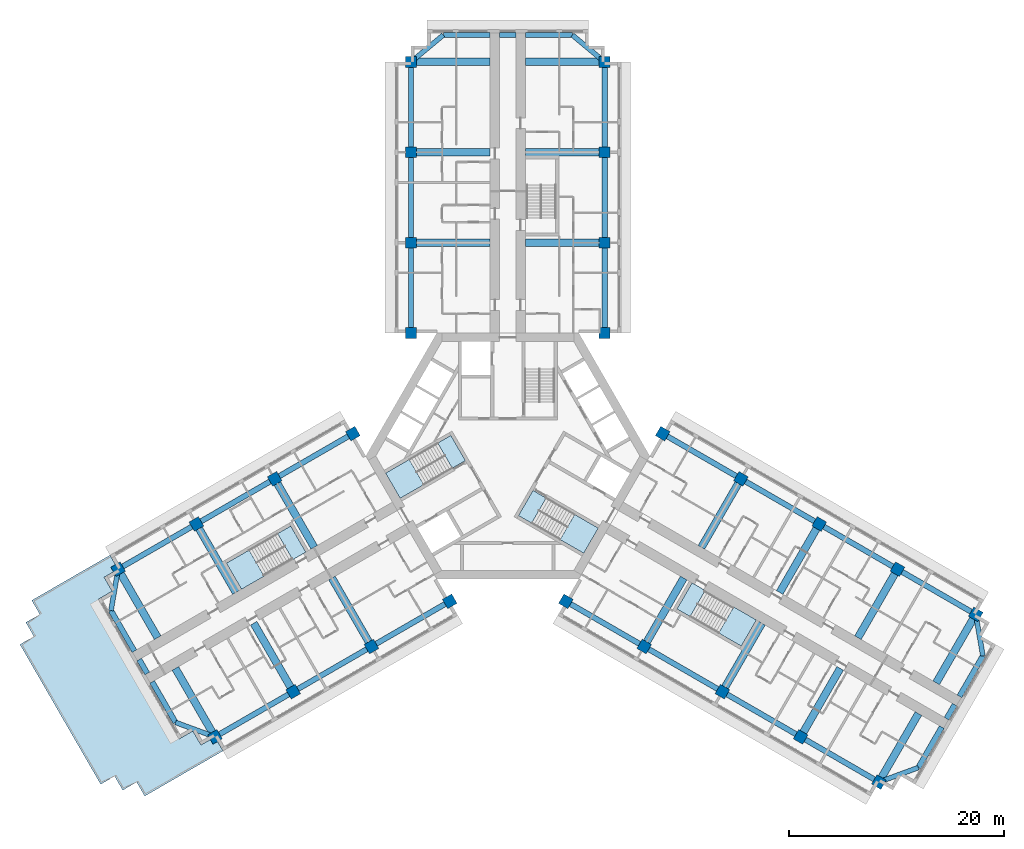
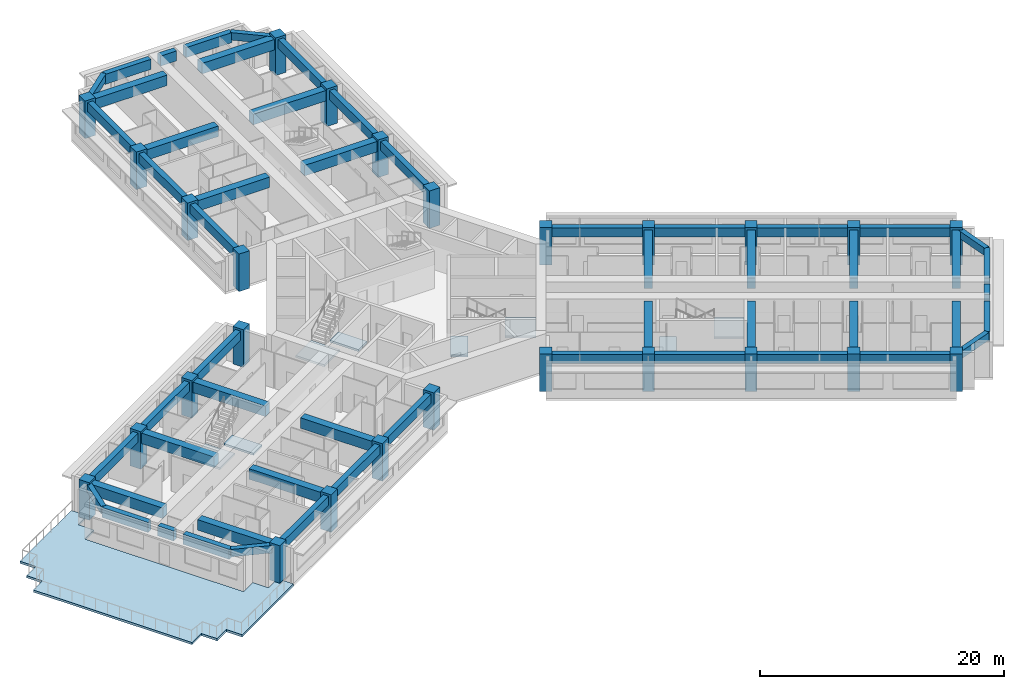
# One storey, part 1 of 15: 55 beams, 26 columns, 9 slabs, 4 elements without a shape of their own.
"""IFC4 building model written with IfcOpenShell, lengths in metres."""

from ifc_helpers import new_model, si_unit, direction, frame, origin, origin_2d, place, context, subcontext, project, spatial, polyline, rectangle, outline, extrude, material, layer, layer_set, material_profile, profile_set, type_object, element, aggregate, save


model = new_model("IFC4")

# Units and contexts
model_context = context("Model", 3, precision=1e-05, world=origin(), true_north=direction((0.0, 1.0)))
body_context = subcontext(model_context, "Body", "Model", "MODEL_VIEW")
ifc_project = project(units=[si_unit("LENGTHUNIT", "METRE"), si_unit("AREAUNIT", "SQUARE_METRE"), si_unit("VOLUMEUNIT", "CUBIC_METRE"), si_unit("PLANEANGLEUNIT", "RADIAN"), si_unit("MASSUNIT", "GRAM", prefix="KILO")], contexts=[model_context])

# Site, building, storey
site_placement = place(None, origin())
site = spatial("IfcSite", under=ifc_project, at=site_placement, CompositionType="ELEMENT")
building_placement = place(site_placement, origin())
building = spatial("IfcBuilding", under=site, at=building_placement, Name="Impinga Residences", CompositionType="ELEMENT")
storey_placement = place(building_placement, frame((0.0, 0.0, 132.25)))
storey = spatial("IfcBuildingStorey", under=building, at=storey_placement, Name="L32", CompositionType="ELEMENT", Elevation=132.25)

# Columns
ifc_material_1 = material(Name="Concrete C60/75", Category="concrete")
ifc_material_profile_1 = material_profile(ifc_material_1, rectangle(XDim=1.0, YDim=1.0, at=origin_2d()), Name="RC 1000x1000")
ifc_profile_set_1 = profile_set([ifc_material_profile_1], Name="Concrete C60/75")
column_type = type_object("IfcColumnType", Name="C3 1000x1000 column", PredefinedType="COLUMN", material=ifc_profile_set_1)
for number, where, z_axis, x_axis, name in (
    (1, (-9.0, 11.431640625, 0.0), (0.0, 0.0, 1.0), (1.0, 0.0, 0.0), "Column C3 N1/NA L32"),
    (2, (9.0, 11.431640625, 0.0), (0.0, 0.0, 1.0), (1.0, 0.0, 0.0), "Column C3 N1/NF L32"),
    (3, (-9.0, 19.83154296875, 0.0), (0.0, 0.0, 1.0), (1.0, 0.0, 0.0), "Column C3 N2/NA L32"),
    (4, (9.0, 19.83154296875, 0.0), (0.0, 0.0, 1.0), (1.0, 0.0, 0.0), "Column C3 N2/NF L32"),
    (5, (-9.0, 28.2314453125, 0.0), (0.0, 0.0, 1.0), (1.0, 0.0, 0.0), "Column C3 N3/NA L32"),
    (6, (9.0, 28.2314453125, 0.0), (0.0, 0.0, 1.0), (1.0, 0.0, 0.0), "Column C3 N3/NF L32"),
    (7, (-9.0, 36.631591796875, 0.0), (0.0, 0.0, 1.0), (1.0, 0.0, 0.0), "Column C3 N4/NA L32"),
    (8, (9.0, 36.631591796875, 0.0), (0.0, 0.0, 1.0), (1.0, 0.0, 0.0), "Column C3 N4/NF L32"),
    (9, (-5.39990234375, -13.510009765625, 0.0), (0.0, 0.0, 1.0), (-0.5, 0.866025403784, 0.0), "Column C3 W1/WA L32"),
    (10, (-14.39990234375, 2.078369140625, 0.0), (0.0, 0.0, 1.0), (-0.5, 0.866025403784, 0.0), "Column C3 W1/WF L32"),
    (11, (-12.674560546875, -17.7099609375, 0.0), (0.0, 0.0, 1.0), (-0.5, 0.866025403784, 0.0), "Column C3 W2/WA L32"),
    (12, (-21.674560546875, -2.12158203125, 0.0), (0.0, 0.0, 1.0), (-0.5, 0.866025403784, 0.0), "Column C3 W2/WF L32"),
    (13, (-19.94921875, -21.909912109375, 0.0), (0.0, 0.0, 1.0), (-0.5, 0.866025403784, 0.0), "Column C3 W3/WA L32"),
    (14, (-28.94921875, -6.321533203125, 0.0), (0.0, 0.0, 1.0), (-0.5, 0.866025403784, 0.0), "Column C3 W3/WF L32"),
    (15, (-27.223876953125, -26.110107421875, 0.0), (0.0, 0.0, 1.0), (-0.5, 0.866025403784, 0.0), "Column C3 W4/WA L32"),
    (16, (-36.223876953125, -10.521484375, 0.0), (0.0, 0.0, 1.0), (-0.5, 0.866025403784, 0.0), "Column C3 W4/WF L32"),
    (17, (14.39990234375, 2.078369140625, 0.0), (0.0, 0.0, 1.0), (-0.5, -0.866025403784, 0.0), "Column C3 E1/EA L32"),
    (18, (5.39990234375, -13.510009765625, 0.0), (0.0, 0.0, 1.0), (-0.5, -0.866025403784, 0.0), "Column C3 E1/EF L32"),
    (19, (21.674560546875, -2.12158203125, 0.0), (0.0, 0.0, 1.0), (-0.5, -0.866025403784, 0.0), "Column C3 E2/EA L32"),
    (20, (12.674560546875, -17.7099609375, 0.0), (0.0, 0.0, 1.0), (-0.5, -0.866025403784, 0.0), "Column C3 E2/EF L32"),
    (21, (28.94921875, -6.321533203125, 0.0), (0.0, 0.0, 1.0), (-0.5, -0.866025403784, 0.0), "Column C3 E3/EA L32"),
    (22, (19.94921875, -21.909912109375, 0.0), (0.0, 0.0, 1.0), (-0.5, -0.866025403784, 0.0), "Column C3 E3/EF L32"),
    (23, (36.223876953125, -10.521484375, 0.0), (0.0, 0.0, 1.0), (-0.5, -0.866025403784, 0.0), "Column C3 E4/EA L32"),
    (24, (27.223876953125, -26.110107421875, 0.0), (0.0, 0.0, 1.0), (-0.5, -0.866025403784, 0.0), "Column C3 E4/EF L32"),
    (25, (43.49853515625, -14.721435546875, 0.0), (0.0, 0.0, 1.0), (-0.5, -0.866025403784, 0.0), "Column C3 E5/EA L32"),
    (26, (34.49853515625, -30.31005859375, 0.0), (0.0, 0.0, 1.0), (-0.5, -0.866025403784, 0.0), "Column C3 E5/EF L32"),
):
    element("IfcColumn", number, at=place(storey_placement, frame(where, z_axis=z_axis, x_axis=x_axis)), inside=storey, type_object=column_type, Name=name, PredefinedType="COLUMN", context=body_context, shape_type="SweptSolid", body=[
        extrude(rectangle(XDim=1.0, YDim=1.0, at=origin_2d()), origin(), (0.0, 0.0, 1.0), 3.75),
    ])

# Beams
ifc_material_profile_2 = material_profile(ifc_material_1, rectangle(XDim=0.449951171875, YDim=0.75, at=origin_2d()), Name="RC 450x750")
ifc_profile_set_2 = profile_set([ifc_material_profile_2], Name="Concrete C60/75")
beam_type_1 = type_object("IfcBeamType", Name="CB1 450x750 wing end cantilever beam", PredefinedType="BEAM", material=ifc_profile_set_2)
for number, where, z_axis, x_axis, name in (
    (27, (-9.0, 36.631591796875, 3.155029296875), (0.768221279597, 0.640184399664, 0.0), (-0.640184399664, 0.768221279597, 0.0), "Beam CB1 NB N4-NX level L33"),
    (28, (9.0, 36.631591796875, 3.155029296875), (-0.768221279597, 0.640184399664, 0.0), (-0.640184399664, -0.768221279597, 0.0), "Beam CB1 NE N4-NX level L33"),
    (29, (-27.223876953125, -26.110107421875, 3.155029296875), (-0.938520178725, 0.345224382289, 0.0), (-0.345224382289, -0.938520178725, 0.0), "Beam CB1 WB W4-WX level L33"),
):
    element("IfcBeam", number, at=place(storey_placement, frame(where, z_axis=z_axis, x_axis=x_axis)), inside=storey, type_object=beam_type_1, Name=name, PredefinedType="BEAM", context=body_context, shape_type="SweptSolid", body=[
        extrude(rectangle(XDim=0.449951171875, YDim=0.75, at=origin_2d()), origin(), (0.0, 0.0, 1.0), 3.905029296875),
    ])
for number, where, z_axis, x_axis, name in (
    (30, (-36.223876953125, -10.521484375, 3.155029296875), (-0.170296298948, -0.985392901621, 0.0), (0.985392901621, -0.170296298948, 0.0), "Beam CB1 WE W4-WX level L33"),
    (31, (43.49853515625, -14.721435546875, 3.155029296875), (0.170296298948, -0.985392901621, 0.0), (0.985392901621, 0.170296298948, 0.0), "Beam CB1 EB E5-EX level L33"),
):
    element("IfcBeam", number, at=place(storey_placement, frame(where, z_axis=z_axis, x_axis=x_axis)), inside=storey, type_object=beam_type_1, Name=name, PredefinedType="BEAM", context=body_context, shape_type="SweptSolid", body=[
        extrude(rectangle(XDim=0.449951171875, YDim=0.75, at=origin_2d()), origin(), (0.0, 0.0, 1.0), 3.9052734375),
    ])
beam_1_placement = place(storey_placement, frame((34.49853515625, -30.31005859375, 3.155029296875), z_axis=(0.938520178725, 0.345224382289, 0.0), x_axis=(-0.345224382289, 0.938520178725, 0.0)))
element("IfcBeam", 32, at=beam_1_placement, inside=storey, type_object=beam_type_1, Name="Beam CB1 EE E5-EX level L33", PredefinedType="BEAM", context=body_context, shape_type="SweptSolid", body=[
    extrude(rectangle(XDim=0.449951171875, YDim=0.75, at=origin_2d()), origin(), (0.0, 0.0, 1.0), 3.905029296875),
])
ifc_material_profile_3 = material_profile(ifc_material_1, rectangle(XDim=0.699951171875, YDim=1.050048828125, at=origin_2d()), Name="RC 700x1050")
ifc_profile_set_3 = profile_set([ifc_material_profile_3], Name="Concrete C60/75")
beam_type_2 = type_object("IfcBeamType", Name="CG1 700x1050 cross girder on a wing bay line", PredefinedType="BEAM", material=ifc_profile_set_3)
for number, where, z_axis, x_axis, name in (
    (33, (-1.64990234375, 19.83154296875, 3.0048828125), (-1.0, 0.0, 0.0), (0.0, -1.0, 0.0), "Beam CG1 N2 NC/NA level L33"),
    (34, (-1.64990234375, 28.2314453125, 3.0048828125), (-1.0, 0.0, 0.0), (0.0, -1.0, 0.0), "Beam CG1 N3 NC/NA level L33"),
    (35, (-1.64990234375, 36.631591796875, 3.0048828125), (-1.0, 0.0, 0.0), (0.0, -1.0, 0.0), "Beam CG1 N4 NC/NA level L33"),
    (36, (1.64990234375, 19.83154296875, 3.0048828125), (1.0, 0.0, 0.0), (0.0, 1.0, 0.0), "Beam CG1 N2 NC/NF level L33"),
    (37, (1.64990234375, 28.2314453125, 3.0048828125), (1.0, 0.0, 0.0), (0.0, 1.0, 0.0), "Beam CG1 N3 NC/NF level L33"),
    (38, (1.64990234375, 36.631591796875, 3.0048828125), (1.0, 0.0, 0.0), (0.0, 1.0, 0.0), "Beam CG1 N4 NC/NF level L33"),
    (39, (-16.349609375, -11.3447265625, 3.0048828125), (0.500008066151, -0.86602074674, 0.0), (0.86602074674, 0.500008066151, 0.0), "Beam CG1 W2 WC/WA level L33"),
    (40, (-23.624267578125, -15.544677734375, 3.0048828125), (0.500008066151, -0.86602074674, 0.0), (0.86602074674, 0.500008066151, 0.0), "Beam CG1 W3 WC/WA level L33"),
    (41, (-30.89892578125, -19.74462890625, 3.0048828125), (0.499993683172, -0.866029050776, 0.0), (0.866029050776, 0.499993683172, 0.0), "Beam CG1 W4 WC/WA level L33"),
    (42, (-17.99951171875, -8.48681640625, 3.0048828125), (-0.500008066151, 0.86602074674, 0.0), (-0.86602074674, -0.500008066151, 0.0), "Beam CG1 W2 WC/WF level L33"),
    (43, (-25.274169921875, -12.686767578125, 3.0048828125), (-0.500008066151, 0.86602074674, 0.0), (-0.86602074674, -0.500008066151, 0.0), "Beam CG1 W3 WC/WF level L33"),
    (44, (-32.548828125, -16.88671875, 3.0048828125), (-0.500008066151, 0.86602074674, 0.0), (-0.86602074674, -0.500008066151, 0.0), "Beam CG1 W4 WC/WF level L33"),
    (45, (17.99951171875, -8.48681640625, 3.0048828125), (0.500008066151, 0.86602074674, 0.0), (-0.86602074674, 0.500008066151, 0.0), "Beam CG1 E2 EC/EA level L33"),
    (46, (25.274169921875, -12.686767578125, 3.0048828125), (0.500008066151, 0.86602074674, 0.0), (-0.86602074674, 0.500008066151, 0.0), "Beam CG1 E3 EC/EA level L33"),
    (47, (32.548828125, -16.88671875, 3.0048828125), (0.500008066151, 0.86602074674, 0.0), (-0.86602074674, 0.500008066151, 0.0), "Beam CG1 E4 EC/EA level L33"),
    (48, (39.823486328125, -21.0869140625, 3.0048828125), (0.499993683172, 0.866029050776, 0.0), (-0.866029050776, 0.499993683172, 0.0), "Beam CG1 E5 EC/EA level L33"),
    (49, (16.349609375, -11.3447265625, 3.0048828125), (-0.500008066151, -0.86602074674, 0.0), (0.86602074674, -0.500008066151, 0.0), "Beam CG1 E2 EC/EF level L33"),
    (50, (23.624267578125, -15.544677734375, 3.0048828125), (-0.500008066151, -0.86602074674, 0.0), (0.86602074674, -0.500008066151, 0.0), "Beam CG1 E3 EC/EF level L33"),
    (51, (30.89892578125, -19.74462890625, 3.0048828125), (-0.499993683172, -0.866029050776, 0.0), (0.866029050776, -0.499993683172, 0.0), "Beam CG1 E4 EC/EF level L33"),
):
    element("IfcBeam", number, at=place(storey_placement, frame(where, z_axis=z_axis, x_axis=x_axis)), inside=storey, type_object=beam_type_2, Name=name, PredefinedType="BEAM", context=body_context, shape_type="SweptSolid", body=[
        extrude(rectangle(XDim=0.699951171875, YDim=1.050048828125, at=origin_2d()), origin(), (0.0, 0.0, 1.0), 7.35009765625),
    ])
beam_2_placement = place(storey_placement, frame((38.17333984375, -23.94482421875, 3.0048828125), z_axis=(-0.499983153418, -0.866035129944, 0.0), x_axis=(0.866035129944, -0.499983153418, 0.0)))
element("IfcBeam", 52, at=beam_2_placement, inside=storey, type_object=beam_type_2, Name="Beam CG1 E5 EC/EF level L33", PredefinedType="BEAM", context=body_context, shape_type="SweptSolid", body=[
    extrude(rectangle(XDim=0.699951171875, YDim=1.050048828125, at=origin_2d()), origin(), (0.0, 0.0, 1.0), 7.349853515625),
])
ifc_material_profile_4 = material_profile(ifc_material_1, rectangle(XDim=0.5, YDim=1.0, at=origin_2d()), Name="RC 500x1000")
ifc_profile_set_4 = profile_set([ifc_material_profile_4], Name="Concrete C60/75")
beam_type_3 = type_object("IfcBeamType", Name="EB1 500x1000 wing end beam", PredefinedType="BEAM", material=ifc_profile_set_4)
beam_3_placement = place(storey_placement, frame((-6.0, 39.131591796875, 3.030029296875), z_axis=(1.0, 0.0, 0.0), x_axis=(0.0, 1.0, 0.0)))
element("IfcBeam", 53, at=beam_3_placement, inside=storey, type_object=beam_type_3, Name="Beam EB1 NX3 level L33", PredefinedType="BEAM", context=body_context, shape_type="SweptSolid", body=[
    extrude(rectangle(XDim=0.5, YDim=1.0, at=origin_2d()), origin(), (0.0, 0.0, 1.0), 4.35009765625),
])
beam_4_placement = place(storey_placement, frame((-0.75, 39.131591796875, 3.030029296875), z_axis=(1.0, 0.0, 0.0), x_axis=(0.0, 1.0, 0.0)))
element("IfcBeam", 54, at=beam_4_placement, inside=storey, type_object=beam_type_3, Name="Beam EB1 NX3 level L33", PredefinedType="BEAM", context=body_context, shape_type="SweptSolid", body=[
    extrude(rectangle(XDim=0.5, YDim=1.0, at=origin_2d()), origin(), (0.0, 0.0, 1.0), 1.5),
])
for number, where, z_axis, x_axis, name in (
    (55, (1.64990234375, 39.131591796875, 3.030029296875), (1.0, 0.0, 0.0), (0.0, 1.0, 0.0), "Beam EB1 NX3 level L33"),
    (56, (-30.888916015625, -24.761962890625, 3.030029296875), (-0.499996127374, 0.866027639635, 0.0), (-0.866027639635, -0.499996127374, 0.0), "Beam EB1 WX3 level L33"),
):
    element("IfcBeam", number, at=place(storey_placement, frame(where, z_axis=z_axis, x_axis=x_axis)), inside=storey, type_object=beam_type_3, Name=name, PredefinedType="BEAM", context=body_context, shape_type="SweptSolid", body=[
        extrude(rectangle(XDim=0.5, YDim=1.0, at=origin_2d()), origin(), (0.0, 0.0, 1.0), 4.35009765625),
    ])
beam_5_placement = place(storey_placement, frame((-33.513916015625, -20.21533203125, 3.030029296875), z_axis=(-0.499990139034, 0.866031096941, 0.0), x_axis=(-0.866031096941, -0.499990139034, 0.0)))
element("IfcBeam", 57, at=beam_5_placement, inside=storey, type_object=beam_type_3, Name="Beam EB1 WX3 level L33", PredefinedType="BEAM", context=body_context, shape_type="SweptSolid", body=[
    extrude(rectangle(XDim=0.5, YDim=1.0, at=origin_2d()), origin(), (0.0, 0.0, 1.0), 1.5),
])
beam_6_placement = place(storey_placement, frame((-34.7138671875, -18.13671875, 3.030029296875), z_axis=(-0.500020430026, 0.866013608182, 0.0), x_axis=(-0.866013608182, -0.500020430026, 0.0)))
element("IfcBeam", 58, at=beam_6_placement, inside=storey, type_object=beam_type_3, Name="Beam EB1 WX3 level L33", PredefinedType="BEAM", context=body_context, shape_type="SweptSolid", body=[
    extrude(rectangle(XDim=0.5, YDim=1.0, at=origin_2d()), origin(), (0.0, 0.0, 1.0), 4.349853515625),
])
beam_7_placement = place(storey_placement, frame((44.16357421875, -18.569580078125, 3.030029296875), z_axis=(-0.499996127374, -0.866027639635, 0.0), x_axis=(0.866027639635, -0.499996127374, 0.0)))
element("IfcBeam", 59, at=beam_7_placement, inside=storey, type_object=beam_type_3, Name="Beam EB1 EX4 level L33", PredefinedType="BEAM", context=body_context, shape_type="SweptSolid", body=[
    extrude(rectangle(XDim=0.5, YDim=1.0, at=origin_2d()), origin(), (0.0, 0.0, 1.0), 4.35009765625),
])
beam_8_placement = place(storey_placement, frame((41.53857421875, -23.1162109375, 3.030029296875), z_axis=(-0.499990139034, -0.866031096941, 0.0), x_axis=(0.866031096941, -0.499990139034, 0.0)))
element("IfcBeam", 60, at=beam_8_placement, inside=storey, type_object=beam_type_3, Name="Beam EB1 EX4 level L33", PredefinedType="BEAM", context=body_context, shape_type="SweptSolid", body=[
    extrude(rectangle(XDim=0.5, YDim=1.0, at=origin_2d()), origin(), (0.0, 0.0, 1.0), 1.5),
])
beam_9_placement = place(storey_placement, frame((40.338623046875, -25.19482421875, 3.030029296875), z_axis=(-0.500020430026, -0.866013608182, 0.0), x_axis=(0.866013608182, -0.500020430026, 0.0)))
element("IfcBeam", 61, at=beam_9_placement, inside=storey, type_object=beam_type_3, Name="Beam EB1 EX4 level L33", PredefinedType="BEAM", context=body_context, shape_type="SweptSolid", body=[
    extrude(rectangle(XDim=0.5, YDim=1.0, at=origin_2d()), origin(), (0.0, 0.0, 1.0), 4.349853515625),
])
ifc_material_profile_5 = material_profile(ifc_material_1, rectangle(XDim=0.5, YDim=0.89990234375, at=origin_2d()), Name="RC 500x900")
ifc_profile_set_5 = profile_set([ifc_material_profile_5], Name="Concrete C60/75")
beam_type_4 = type_object("IfcBeamType", Name="SB1 500x900 perimeter spandrel beam", PredefinedType="SPANDREL", material=ifc_profile_set_5)
for number, where, z_axis, x_axis, name in (
    (62, (-9.0, 11.431640625, 3.080078125), (0.0, 1.0, 0.0), (-1.0, 0.0, 0.0), "Beam SB1 NA N1-N2 level L33"),
    (63, (-9.0, 19.83154296875, 3.080078125), (0.0, 1.0, 0.0), (-1.0, 0.0, 0.0), "Beam SB1 NA N2-N3 level L33"),
):
    element("IfcBeam", number, at=place(storey_placement, frame(where, z_axis=z_axis, x_axis=x_axis)), inside=storey, type_object=beam_type_4, Name=name, PredefinedType="SPANDREL", context=body_context, shape_type="SweptSolid", body=[
        extrude(rectangle(XDim=0.5, YDim=0.89990234375, at=origin_2d()), origin(), (0.0, 0.0, 1.0), 8.39990234375),
    ])
beam_10_placement = place(storey_placement, frame((-9.0, 28.2314453125, 3.080078125), z_axis=(0.0, 1.0, 0.0), x_axis=(-1.0, 0.0, 0.0)))
element("IfcBeam", 64, at=beam_10_placement, inside=storey, type_object=beam_type_4, Name="Beam SB1 NA N3-N4 level L33", PredefinedType="SPANDREL", context=body_context, shape_type="SweptSolid", body=[
    extrude(rectangle(XDim=0.5, YDim=0.89990234375, at=origin_2d()), origin(), (0.0, 0.0, 1.0), 8.400146484375),
])
for number, where, z_axis, x_axis, name in (
    (65, (9.0, 11.431640625, 3.080078125), (0.0, 1.0, 0.0), (-1.0, 0.0, 0.0), "Beam SB1 NF N1-N2 level L33"),
    (66, (9.0, 19.83154296875, 3.080078125), (0.0, 1.0, 0.0), (-1.0, 0.0, 0.0), "Beam SB1 NF N2-N3 level L33"),
):
    element("IfcBeam", number, at=place(storey_placement, frame(where, z_axis=z_axis, x_axis=x_axis)), inside=storey, type_object=beam_type_4, Name=name, PredefinedType="SPANDREL", context=body_context, shape_type="SweptSolid", body=[
        extrude(rectangle(XDim=0.5, YDim=0.89990234375, at=origin_2d()), origin(), (0.0, 0.0, 1.0), 8.39990234375),
    ])
beam_11_placement = place(storey_placement, frame((9.0, 28.2314453125, 3.080078125), z_axis=(0.0, 1.0, 0.0), x_axis=(-1.0, 0.0, 0.0)))
element("IfcBeam", 67, at=beam_11_placement, inside=storey, type_object=beam_type_4, Name="Beam SB1 NF N3-N4 level L33", PredefinedType="SPANDREL", context=body_context, shape_type="SweptSolid", body=[
    extrude(rectangle(XDim=0.5, YDim=0.89990234375, at=origin_2d()), origin(), (0.0, 0.0, 1.0), 8.400146484375),
])
for number, where, z_axis, x_axis, name in (
    (68, (-5.39990234375, -13.510009765625, 3.080078125), (-0.86602925447, -0.499993330357, 0.0), (0.499993330357, -0.86602925447, 0.0), "Beam SB1 WA W1-W2 level L33"),
    (69, (-12.674560546875, -17.7099609375, 3.080078125), (-0.86602925447, -0.499993330357, 0.0), (0.499993330357, -0.86602925447, 0.0), "Beam SB1 WA W2-W3 level L33"),
):
    element("IfcBeam", number, at=place(storey_placement, frame(where, z_axis=z_axis, x_axis=x_axis)), inside=storey, type_object=beam_type_4, Name=name, PredefinedType="SPANDREL", context=body_context, shape_type="SweptSolid", body=[
        extrude(rectangle(XDim=0.5, YDim=0.89990234375, at=origin_2d()), origin(), (0.0, 0.0, 1.0), 8.39990234375),
    ])
beam_12_placement = place(storey_placement, frame((-19.94921875, -21.909912109375, 3.080078125), z_axis=(-0.866016669275, -0.500015128309, 0.0), x_axis=(0.500015128309, -0.866016669275, 0.0)))
element("IfcBeam", 70, at=beam_12_placement, inside=storey, type_object=beam_type_4, Name="Beam SB1 WA W3-W4 level L33", PredefinedType="SPANDREL", context=body_context, shape_type="SweptSolid", body=[
    extrude(rectangle(XDim=0.5, YDim=0.89990234375, at=origin_2d()), origin(), (0.0, 0.0, 1.0), 8.400146484375),
])
for number, where, z_axis, x_axis, name in (
    (71, (-14.39990234375, 2.078369140625, 3.080078125), (-0.86602925447, -0.499993330357, 0.0), (0.499993330357, -0.86602925447, 0.0), "Beam SB1 WF W1-W2 level L33"),
    (72, (-21.674560546875, -2.12158203125, 3.080078125), (-0.86602925447, -0.499993330357, 0.0), (0.499993330357, -0.86602925447, 0.0), "Beam SB1 WF W2-W3 level L33"),
    (73, (-28.94921875, -6.321533203125, 3.080078125), (-0.86602925447, -0.499993330357, 0.0), (0.499993330357, -0.86602925447, 0.0), "Beam SB1 WF W3-W4 level L33"),
    (74, (14.39990234375, 2.078369140625, 3.080078125), (0.86602925447, -0.499993330357, 0.0), (0.499993330357, 0.86602925447, 0.0), "Beam SB1 EA E1-E2 level L33"),
    (75, (21.674560546875, -2.12158203125, 3.080078125), (0.86602925447, -0.499993330357, 0.0), (0.499993330357, 0.86602925447, 0.0), "Beam SB1 EA E2-E3 level L33"),
    (76, (28.94921875, -6.321533203125, 3.080078125), (0.86602925447, -0.499993330357, 0.0), (0.499993330357, 0.86602925447, 0.0), "Beam SB1 EA E3-E4 level L33"),
    (77, (36.223876953125, -10.521484375, 3.080078125), (0.86602925447, -0.499993330357, 0.0), (0.499993330357, 0.86602925447, 0.0), "Beam SB1 EA E4-E5 level L33"),
    (78, (5.39990234375, -13.510009765625, 3.080078125), (0.86602925447, -0.499993330357, 0.0), (0.499993330357, 0.86602925447, 0.0), "Beam SB1 EF E1-E2 level L33"),
    (79, (12.674560546875, -17.7099609375, 3.080078125), (0.86602925447, -0.499993330357, 0.0), (0.499993330357, 0.86602925447, 0.0), "Beam SB1 EF E2-E3 level L33"),
):
    element("IfcBeam", number, at=place(storey_placement, frame(where, z_axis=z_axis, x_axis=x_axis)), inside=storey, type_object=beam_type_4, Name=name, PredefinedType="SPANDREL", context=body_context, shape_type="SweptSolid", body=[
        extrude(rectangle(XDim=0.5, YDim=0.89990234375, at=origin_2d()), origin(), (0.0, 0.0, 1.0), 8.39990234375),
    ])
beam_13_placement = place(storey_placement, frame((19.94921875, -21.909912109375, 3.080078125), z_axis=(0.866016669275, -0.500015128309, 0.0), x_axis=(0.500015128309, 0.866016669275, 0.0)))
element("IfcBeam", 80, at=beam_13_placement, inside=storey, type_object=beam_type_4, Name="Beam SB1 EF E3-E4 level L33", PredefinedType="SPANDREL", context=body_context, shape_type="SweptSolid", body=[
    extrude(rectangle(XDim=0.5, YDim=0.89990234375, at=origin_2d()), origin(), (0.0, 0.0, 1.0), 8.400146484375),
])
beam_14_placement = place(storey_placement, frame((27.223876953125, -26.110107421875, 3.080078125), z_axis=(0.86602925447, -0.499993330357, 0.0), x_axis=(0.499993330357, 0.86602925447, 0.0)))
element("IfcBeam", 81, at=beam_14_placement, inside=storey, type_object=beam_type_4, Name="Beam SB1 EF E4-E5 level L33", PredefinedType="SPANDREL", context=body_context, shape_type="SweptSolid", body=[
    extrude(rectangle(XDim=0.5, YDim=0.89990234375, at=origin_2d()), origin(), (0.0, 0.0, 1.0), 8.39990234375),
])

# Stair, slabs
ifc_material_2 = material(Name="Concrete C40/50", Category="concrete")
stair_type_1 = type_object("IfcStairType", Name="STR core stair 3750 storey, 24 risers", PredefinedType="HALF_TURN_STAIR", material=ifc_material_2)
stair_1_placement = place(storey_placement, origin())
stair_1 = element("IfcStair", 82, at=stair_1_placement, inside=storey, type_object=stair_type_1, Name="Stair ST2 L32", PredefinedType="HALF_TURN_STAIR")
ifc_layer_1 = layer(ifc_material_2, 0.199951171875)
ifc_layer_set_1 = layer_set([ifc_layer_1], Name="Concrete C40/50")
slab_type_1 = type_object("IfcSlabType", Name="LS1 stair landing 200", PredefinedType="LANDING", material=ifc_layer_set_1)
slab_1_placement = place(storey_placement, frame((0.0, 0.0, -0.199951171875)))
slab_1 = element("IfcSlab", 83, at=slab_1_placement, type_object=slab_type_1, Name="ST2 landing 1", PredefinedType="LANDING", context=body_context, shape_type="SweptSolid", body=[
    extrude(outline(polyline([(-3.943603515625, -0.429443359375), (-5.293701171875, 1.908935546875), (-6.5146484375, 1.203857421875), (-5.164794921875, -1.13427734375), (-3.943603515625, -0.429443359375)])), origin(), (0.0, 0.0, 1.0), 0.199951171875),
])
slab_2_placement = place(storey_placement, frame((0.0, 0.0, 1.675048828125)))
slab_2 = element("IfcSlab", 84, at=slab_2_placement, type_object=slab_type_1, Name="ST2 landing 2", PredefinedType="LANDING", context=body_context, shape_type="SweptSolid", body=[
    extrude(outline(polyline([(-7.814697265625, -2.664306640625), (-9.164794921875, -0.326171875), (-11.357177734375, -1.591796875), (-10.007080078125, -3.93017578125), (-7.814697265625, -2.664306640625)])), origin(), (0.0, 0.0, 1.0), 0.199951171875),
])
aggregate(stair_1, [slab_1, slab_2])

stair_2_placement = place(storey_placement, origin())
stair_2 = element("IfcStair", 85, at=stair_2_placement, inside=storey, type_object=stair_type_1, Name="Stair ST3 L32", PredefinedType="HALF_TURN_STAIR")
slab_3_placement = place(storey_placement, frame((0.0, 0.0, -0.199951171875)))
slab_3 = element("IfcSlab", 86, at=slab_3_placement, type_object=slab_type_1, Name="ST3 landing 1", PredefinedType="LANDING", context=body_context, shape_type="SweptSolid", body=[
    extrude(outline(polyline([(2.34375, -3.20068359375), (0.99365234375, -5.538818359375), (2.21484375, -6.243896484375), (3.564697265625, -3.90576171875), (2.34375, -3.20068359375)])), origin(), (0.0, 0.0, 1.0), 0.199951171875),
])
slab_4_placement = place(storey_placement, frame((0.0, 0.0, 1.675048828125)))
slab_4 = element("IfcSlab", 87, at=slab_4_placement, type_object=slab_type_1, Name="ST3 landing 2", PredefinedType="LANDING", context=body_context, shape_type="SweptSolid", body=[
    extrude(outline(polyline([(6.21484375, -5.435546875), (4.86474609375, -7.77392578125), (7.05712890625, -9.039794921875), (8.4072265625, -6.701416015625), (6.21484375, -5.435546875)])), origin(), (0.0, 0.0, 1.0), 0.199951171875),
])
aggregate(stair_2, [slab_3, slab_4])

stair_type_2 = type_object("IfcStairType", Name="STR wing stair 3750 storey, 24 risers", PredefinedType="HALF_TURN_STAIR", material=ifc_material_2)
stair_3_placement = place(storey_placement, origin())
stair_3 = element("IfcStair", 88, at=stair_3_placement, inside=storey, type_object=stair_type_2, Name="Stair WS2 L32", PredefinedType="HALF_TURN_STAIR")
slab_5_placement = place(storey_placement, frame((0.0, 0.0, -0.199951171875)))
slab_5 = element("IfcSlab", 89, at=slab_5_placement, type_object=slab_type_1, Name="WS2 landing 1", PredefinedType="LANDING", context=body_context, shape_type="SweptSolid", body=[
    extrude(outline(polyline([(-18.779052734375, -8.936767578125), (-20.178955078125, -6.511962890625), (-21.400146484375, -7.217041015625), (-20.000244140625, -9.641845703125), (-18.779052734375, -8.936767578125)])), origin(), (0.0, 0.0, 1.0), 0.199951171875),
])
slab_6_placement = place(storey_placement, frame((0.0, 0.0, 1.675048828125)))
slab_6 = element("IfcSlab", 90, at=slab_6_placement, type_object=slab_type_1, Name="WS2 landing 2", PredefinedType="LANDING", context=body_context, shape_type="SweptSolid", body=[
    extrude(outline(polyline([(-22.650146484375, -11.171875), (-24.050048828125, -8.7470703125), (-26.154541015625, -9.9619140625), (-24.754638671875, -12.38671875), (-22.650146484375, -11.171875)])), origin(), (0.0, 0.0, 1.0), 0.199951171875),
])
aggregate(stair_3, [slab_5, slab_6])

stair_4_placement = place(storey_placement, origin())
stair_4 = element("IfcStair", 91, at=stair_4_placement, inside=storey, type_object=stair_type_2, Name="Stair WS3 L32", PredefinedType="HALF_TURN_STAIR")
slab_7_placement = place(storey_placement, frame((0.0, 0.0, -0.199951171875)))
slab_7 = element("IfcSlab", 92, at=slab_7_placement, type_object=slab_type_1, Name="WS3 landing 1", PredefinedType="LANDING", context=body_context, shape_type="SweptSolid", body=[
    extrude(outline(polyline([(17.129150390625, -11.794677734375), (15.72900390625, -14.219482421875), (16.9501953125, -14.924560546875), (18.35009765625, -12.499755859375), (17.129150390625, -11.794677734375)])), origin(), (0.0, 0.0, 1.0), 0.199951171875),
])
slab_8_placement = place(storey_placement, frame((0.0, 0.0, 1.675048828125)))
slab_8 = element("IfcSlab", 93, at=slab_8_placement, type_object=slab_type_1, Name="WS3 landing 2", PredefinedType="LANDING", context=body_context, shape_type="SweptSolid", body=[
    extrude(outline(polyline([(21.000244140625, -14.02978515625), (19.60009765625, -16.45458984375), (21.70458984375, -17.669677734375), (23.1044921875, -15.24462890625), (21.000244140625, -14.02978515625)])), origin(), (0.0, 0.0, 1.0), 0.199951171875),
])
aggregate(stair_4, [slab_7, slab_8])

# Slab
ifc_layer_2 = layer(ifc_material_1, 0.219970703125)
ifc_layer_set_2 = layer_set([ifc_layer_2], Name="Concrete C60/75")
slab_type_2 = type_object("IfcSlabType", Name="TS2 setback terrace slab 220", PredefinedType="ROOF", material=ifc_layer_set_2)
slab_9_placement = place(storey_placement, frame((0.0, 0.0, -0.219970703125)))
element("IfcSlab", 94, at=slab_9_placement, inside=storey, type_object=slab_type_2, Name="Maintenance roof TS2 L32", PredefinedType="ROOF", context=body_context, shape_type="SweptSolid", body=[
    extrude(outline(polyline([(-34.49853515625, -30.31005859375), (-35.797607421875, -31.06005859375), (-36.547607421875, -29.760986328125), (-37.846435546875, -30.510986328125), (-45.346435546875, -17.5205078125), (-44.047607421875, -16.7705078125), (-44.797607421875, -15.471435546875), (-43.49853515625, -14.721435546875), (-44.24853515625, -13.422607421875), (-36.974609375, -9.222900390625), (-36.974609375, -9.222900390625), (-36.22509765625, -10.521240234375), (-37.5234375, -11.270751953125), (-37.5234375, -11.270751953125), (-37.5234375, -11.270751953125), (-37.523681640625, -11.270751953125), (-37.523681640625, -11.27099609375), (-37.523681640625, -11.27099609375), (-37.523681640625, -11.27099609375), (-37.52392578125, -11.271240234375), (-37.52392578125, -11.271240234375), (-37.52392578125, -11.271484375), (-37.52392578125, -11.271484375), (-37.52392578125, -11.271484375), (-37.52392578125, -11.271728515625), (-37.52392578125, -11.271728515625), (-37.52392578125, -11.27197265625), (-37.523681640625, -11.27197265625), (-37.523681640625, -11.27197265625), (-36.774169921875, -12.5703125), (-38.072509765625, -13.31982421875), (-38.072509765625, -13.31982421875), (-38.072509765625, -13.31982421875), (-38.07275390625, -13.31982421875), (-38.07275390625, -13.320068359375), (-38.07275390625, -13.320068359375), (-38.07275390625, -13.320068359375), (-38.07275390625, -13.3203125), (-38.072998046875, -13.3203125), (-38.072998046875, -13.3203125), (-38.072998046875, -13.320556640625), (-38.072998046875, -13.320556640625), (-38.072998046875, -13.32080078125), (-38.072998046875, -13.32080078125), (-38.07275390625, -13.32080078125), (-38.07275390625, -13.321044921875), (-38.07275390625, -13.321044921875), (-30.57275390625, -26.3115234375), (-30.57275390625, -26.3115234375), (-30.57275390625, -26.3115234375), (-30.572509765625, -26.311767578125), (-30.572509765625, -26.311767578125), (-30.572509765625, -26.311767578125), (-30.572265625, -26.311767578125), (-30.572265625, -26.31201171875), (-30.572265625, -26.31201171875), (-30.572021484375, -26.31201171875), (-30.572021484375, -26.31201171875), (-30.57177734375, -26.31201171875), (-30.57177734375, -26.31201171875), (-30.57177734375, -26.31201171875), (-30.571533203125, -26.31201171875), (-30.571533203125, -26.311767578125), (-30.571533203125, -26.311767578125), (-29.273193359375, -25.562255859375), (-28.523681640625, -26.860595703125), (-28.523681640625, -26.860595703125), (-28.523681640625, -26.860595703125), (-28.523681640625, -26.86083984375), (-28.5234375, -26.86083984375), (-28.5234375, -26.86083984375), (-28.5234375, -26.86083984375), (-28.523193359375, -26.86083984375), (-28.523193359375, -26.861083984375), (-28.52294921875, -26.861083984375), (-28.52294921875, -26.861083984375), (-28.52294921875, -26.861083984375), (-28.522705078125, -26.861083984375), (-28.522705078125, -26.861083984375), (-28.5224609375, -26.86083984375), (-28.5224609375, -26.86083984375), (-28.5224609375, -26.86083984375), (-27.22412109375, -26.111328125), (-26.474609375, -27.409423828125), (-33.74853515625, -31.609130859375), (-34.49853515625, -30.31005859375)])), origin(), (0.0, 0.0, 1.0), 0.219970703125),
])

save(model, "model.ifc")
